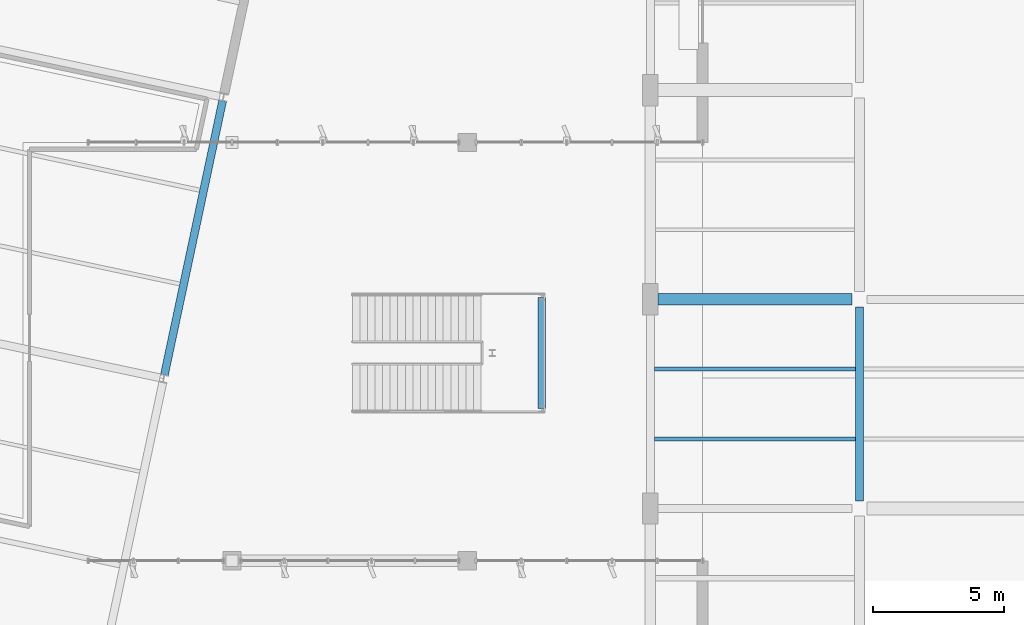
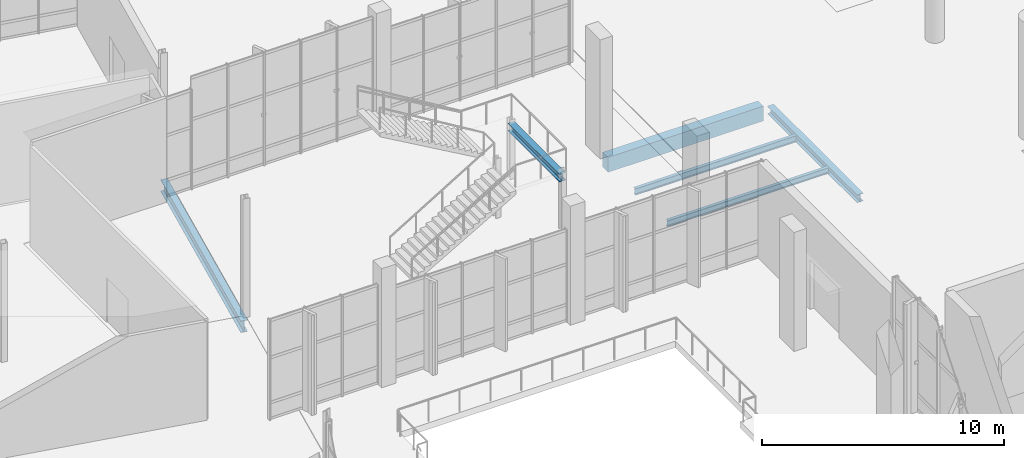
# One storey, part 49 of 163: 6 beams.
"""IFC4 building model written with IfcOpenShell, lengths in metres."""

from ifc_helpers import new_model, si_unit, direction, frame, origin, origin_2d, place, context, subcontext, project, spatial, rectangle, i_section, extrude, material, material_profile, profile_set, type_object, element, save


model = new_model("IFC4")

# Units and contexts
model_context = context("Model", 3, precision=1e-05, world=origin(), true_north=direction((0.0, 1.0)))
body_context = subcontext(model_context, "Body", "Model", "MODEL_VIEW")
ifc_project = project(units=[si_unit("LENGTHUNIT", "METRE"), si_unit("AREAUNIT", "SQUARE_METRE"), si_unit("VOLUMEUNIT", "CUBIC_METRE"), si_unit("PLANEANGLEUNIT", "RADIAN"), si_unit("MASSUNIT", "GRAM", prefix="KILO")], contexts=[model_context])

# Site, building, storey
site_placement = place(None, origin())
site = spatial("IfcSite", under=ifc_project, at=site_placement, CompositionType="ELEMENT")
building_placement = place(site_placement, origin())
building = spatial("IfcBuilding", under=site, at=building_placement, Name="Khorjan Park Terminus", CompositionType="ELEMENT")
storey_placement = place(building_placement, origin())
storey = spatial("IfcBuildingStorey", under=building, at=storey_placement, Name="L00", CompositionType="ELEMENT", Elevation=0.0)

# Beams
ifc_material_1 = material(Name="Steel S355", Category="steel")
ifc_material_profile_1 = material_profile(ifc_material_1, i_section(OverallWidth=0.3, OverallDepth=0.39, WebThickness=0.011, FlangeThickness=0.019, FilletRadius=0.027, at=origin_2d()), Name="HEA 400")
ifc_profile_set_1 = profile_set([ifc_material_profile_1], Name="Steel S355")
beam_type_1 = type_object("IfcBeamType", Name="BM-HEA400", PredefinedType="BEAM", material=ifc_profile_set_1)
beam_1_placement = place(storey_placement, frame((43.85, 55.82, 2.605), z_axis=(0.0, 1.0, 0.0), x_axis=(-1.0, 0.0, 0.0)))
element("IfcBeam", 1, at=beam_1_placement, inside=storey, type_object=beam_type_1, Name="Stair PVS-01 half-landing support beam SB-A40", PredefinedType="BEAM", context=body_context, shape_type="SweptSolid", body=[
    extrude(i_section(OverallWidth=0.3, OverallDepth=0.39, WebThickness=0.011, FlangeThickness=0.019, FilletRadius=0.027, at=origin_2d()), origin(), (0.0, 0.0, 1.0), 4.26),
])
ifc_material_profile_2 = material_profile(ifc_material_1, i_section(OverallWidth=0.3, OverallDepth=0.4, WebThickness=0.0135, FlangeThickness=0.024, FilletRadius=0.027, at=origin_2d()), Name="HEB 400")
ifc_profile_set_2 = profile_set([ifc_material_profile_2], Name="Steel S355")
beam_type_2 = type_object("IfcBeamType", Name="BM-HEB400", PredefinedType="BEAM", material=ifc_profile_set_2)
beam_2_placement = place(storey_placement, frame((56.0, 52.295, -0.56), z_axis=(0.0, 1.0, 0.0), x_axis=(-1.0, 0.0, 0.0)))
element("IfcBeam", 2, at=beam_2_placement, inside=storey, type_object=beam_type_2, Name="Primary floor girder SB-B40 (L00)", PredefinedType="BEAM", context=body_context, shape_type="SweptSolid", body=[
    extrude(i_section(OverallWidth=0.3, OverallDepth=0.4, WebThickness=0.0135, FlangeThickness=0.024, FilletRadius=0.027, at=origin_2d()), origin(), (0.0, 0.0, 1.0), 7.41),
])
ifc_material_profile_3 = material_profile(ifc_material_1, i_section(OverallWidth=0.3, OverallDepth=0.6, WebThickness=0.0155, FlangeThickness=0.03, FilletRadius=0.027, at=origin_2d()), Name="HEB 600")
ifc_profile_set_3 = profile_set([ifc_material_profile_3], Name="Steel S355")
beam_type_3 = type_object("IfcBeamType", Name="BM-HEB600", PredefinedType="BEAM", material=ifc_profile_set_3)
beam_3_placement = place(storey_placement, frame((29.4159, 57.1119, -0.64), z_axis=(0.207909789374, 0.978148004896, 0.0), x_axis=(-0.978148004896, 0.207909789374, 0.0)))
element("IfcBeam", 3, at=beam_3_placement, inside=storey, type_object=beam_type_3, Name="Primary skew-grid floor girder SB-B60 (L00)", PredefinedType="BEAM", context=body_context, shape_type="SweptSolid", body=[
    extrude(i_section(OverallWidth=0.3, OverallDepth=0.6, WebThickness=0.0155, FlangeThickness=0.03, FilletRadius=0.027, at=origin_2d()), origin(), (0.0, 0.0, 1.0), 10.7099),
])
ifc_material_2 = material(Name="Concrete C40/50", Category="concrete")
ifc_material_profile_4 = material_profile(ifc_material_2, rectangle(XDim=0.45, YDim=0.75, at=origin_2d()), Name="RC 450x750")
ifc_profile_set_4 = profile_set([ifc_material_profile_4], Name="Concrete C40/50")
beam_type_4 = type_object("IfcBeamType", Name="BM-RC450x750", PredefinedType="BEAM", material=ifc_profile_set_4)
beam_4_placement = place(storey_placement, frame((48.295, 60.0, -0.735), z_axis=(1.0, 0.0, 0.0), x_axis=(0.0, 1.0, 0.0)))
element("IfcBeam", 4, at=beam_4_placement, inside=storey, type_object=beam_type_4, Name="Primary floor girder GB-75 (L00)", PredefinedType="BEAM", context=body_context, shape_type="SweptSolid", body=[
    extrude(rectangle(XDim=0.45, YDim=0.75, at=origin_2d()), origin(), (0.0, 0.0, 1.0), 7.41),
])
ifc_material_profile_5 = material_profile(ifc_material_1, i_section(OverallWidth=0.15, OverallDepth=0.3, WebThickness=0.0071, FlangeThickness=0.0107, FilletRadius=0.015, at=origin_2d()), Name="IPE 300")
ifc_profile_set_5 = profile_set([ifc_material_profile_5], Name="Steel S355")
beam_type_5 = type_object("IfcBeamType", Name="JS-IPE300", PredefinedType="JOIST", material=ifc_profile_set_5)
beam_5_placement = place(storey_placement, frame((48.15, 54.6667, -0.51), z_axis=(1.0, 0.0, 0.0), x_axis=(0.0, 1.0, 0.0)))
element("IfcBeam", 5, at=beam_5_placement, inside=storey, type_object=beam_type_5, Name="Secondary composite floor joist SJ-30 (L00)", PredefinedType="JOIST", context=body_context, shape_type="SweptSolid", body=[
    extrude(i_section(OverallWidth=0.15, OverallDepth=0.3, WebThickness=0.0071, FlangeThickness=0.0107, FilletRadius=0.015, at=origin_2d()), origin(), (0.0, 0.0, 1.0), 7.7),
])
ifc_material_profile_6 = material_profile(ifc_material_1, i_section(OverallWidth=0.16, OverallDepth=0.33, WebThickness=0.0075, FlangeThickness=0.0115, FilletRadius=0.018, at=origin_2d()), Name="IPE 330")
ifc_profile_set_6 = profile_set([ifc_material_profile_6], Name="Steel S355")
beam_type_6 = type_object("IfcBeamType", Name="JS-IPE330", PredefinedType="JOIST", material=ifc_profile_set_6)
beam_6_placement = place(storey_placement, frame((48.15, 57.3333, -0.525), z_axis=(1.0, 0.0, 0.0), x_axis=(0.0, 1.0, 0.0)))
element("IfcBeam", 6, at=beam_6_placement, inside=storey, type_object=beam_type_6, Name="Secondary composite floor joist SJ-33 (L00)", PredefinedType="JOIST", context=body_context, shape_type="SweptSolid", body=[
    extrude(i_section(OverallWidth=0.16, OverallDepth=0.33, WebThickness=0.0075, FlangeThickness=0.0115, FilletRadius=0.018, at=origin_2d()), origin(), (0.0, 0.0, 1.0), 7.7),
])

save(model, "model.ifc")
